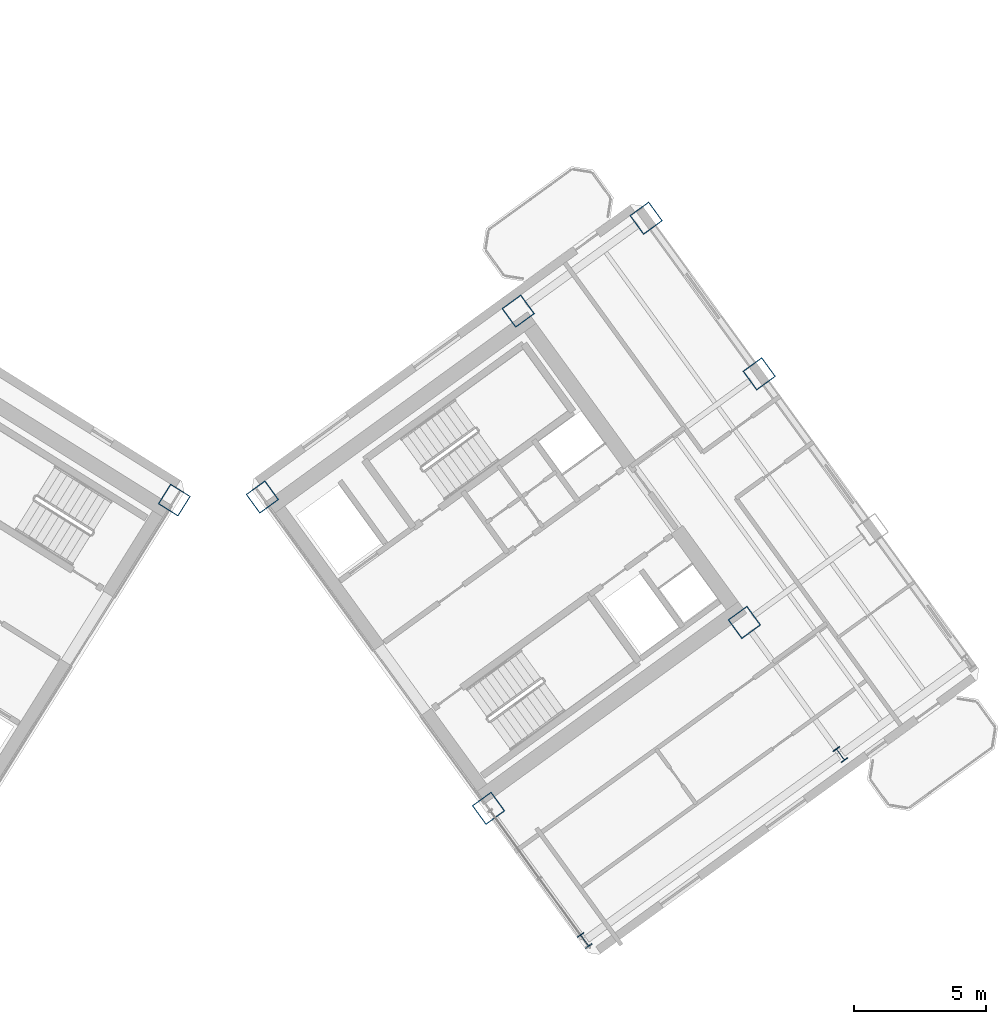
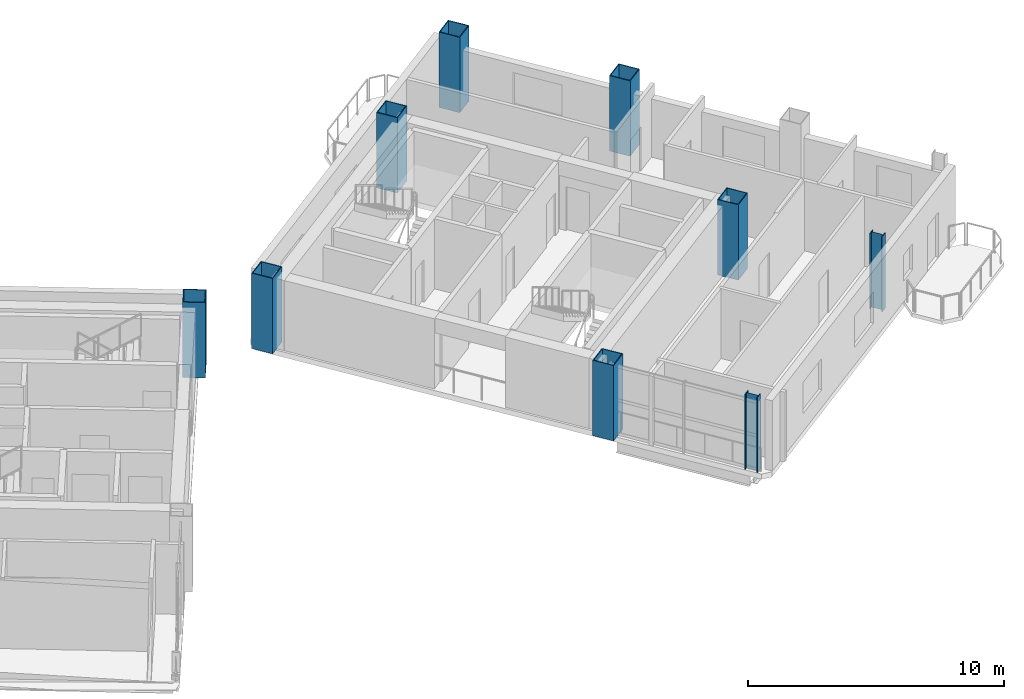
# One storey, part 2 of 18: 9 columns.
"""IFC4 building model written with IfcOpenShell, lengths in metres."""

import ifcopenshell
import ifcopenshell.guid

model = None  # the IFC model being written
_history = None  # IfcOwnerHistory: only IFC2X3 demands one
_inside = {}  # id of a spatial element -> (the spatial element, [elements in it])
_under = {}  # id of a project, library or spatial element -> (it, [spatial elements below it])
_declared = {}  # id of a project -> (the project, [libraries it declares])
_typed = {}  # id of a type object -> (the type object, [elements of that type])
_made_of = {}  # id of a material, layer set ... -> (it, [elements and type objects made of it])


def new_model(schema):
    """Start an empty IFC model of exactly this schema.

    Asked for "IFC4X3", IfcOpenShell would pick the latest addendum, in which some entities
    have other attributes; the version numbers below select the first issue.
    IFC2X3 requires an IfcOwnerHistory on every rooted entity: one is made here for all.
    """
    global model, _history
    if schema == "IFC4X3":
        model = ifcopenshell.file(schema_version=(4, 3, 0, 0))
    else:
        model = ifcopenshell.file(schema=schema)
    _inside.clear()
    _under.clear()
    _declared.clear()
    _typed.clear()
    _made_of.clear()
    _history = None
    if model.schema == "IFC2X3":
        org = make("IfcOrganization", Name="unknown")
        user = make(
            "IfcPersonAndOrganization",
            ThePerson=make("IfcPerson", FamilyName="unknown"),
            TheOrganization=org,
        )
        app = make(
            "IfcApplication",
            ApplicationDeveloper=org,
            Version="unknown",
            ApplicationFullName="unknown",
            ApplicationIdentifier="unknown",
        )
        _history = make(
            "IfcOwnerHistory",
            OwningUser=user,
            OwningApplication=app,
            ChangeAction="ADDED",
            CreationDate=0,
        )
    return model


def make(cls, **values):
    """One entity of the class cls with the attributes given. An attribute that is None is left unset."""
    return model.create_entity(
        cls, **{name: value for name, value in values.items() if value is not None}
    )


def rooted(cls, **values):
    """An entity with a GlobalId (a new one), such as an element, a storey or a relation."""
    return make(cls, GlobalId=ifcopenshell.guid.new(), OwnerHistory=_history, **values)


def si_unit(unit_type, name, prefix=None):
    """IfcSIUnit, for example si_unit("LENGTHUNIT", "METRE", prefix="MILLI")."""
    return make("IfcSIUnit", UnitType=unit_type, Prefix=prefix, Name=name)


def assignment(units):
    """IfcUnitAssignment: the units of a project."""
    return None if units is None else make("IfcUnitAssignment", Units=units)


def point(xyz):
    """IfcCartesianPoint."""
    return None if xyz is None else make("IfcCartesianPoint", Coordinates=xyz)


def direction(xyz):
    """IfcDirection."""
    return None if xyz is None else make("IfcDirection", DirectionRatios=xyz)


def frame(location, z_axis=None, x_axis=None):
    """IfcAxis2Placement3D, a coordinate frame: its origin and axes. An axis left out is left unset."""
    return make(
        "IfcAxis2Placement3D",
        Location=point(location),
        Axis=direction(z_axis),
        RefDirection=direction(x_axis),
    )


def frame_2d(location, x_axis=None):
    """IfcAxis2Placement2D, a coordinate frame in the plane: its origin and x axis."""
    return make(
        "IfcAxis2Placement2D", Location=point(location), RefDirection=direction(x_axis)
    )


def origin():
    """The frame at (0, 0, 0) with its axes left unset."""
    return frame((0.0, 0.0, 0.0))


def origin_2d():
    """The frame at (0, 0) in the plane with its x axis left unset."""
    return frame_2d((0.0, 0.0))


def place(relative_to, where):
    """IfcLocalPlacement: puts the frame where relative to a parent placement (None: the world)."""
    return make(
        "IfcLocalPlacement", PlacementRelTo=relative_to, RelativePlacement=where
    )


def context(
    kind, dimensions, precision=None, world=None, true_north=None, identifier=None
):
    """IfcGeometricRepresentationContext, for example the 3D "Model" context."""
    return make(
        "IfcGeometricRepresentationContext",
        ContextIdentifier=identifier,
        ContextType=kind,
        CoordinateSpaceDimension=dimensions,
        Precision=precision,
        WorldCoordinateSystem=world,
        TrueNorth=true_north,
    )


def subcontext(parent, identifier, kind, view, scale=None):
    """IfcGeometricRepresentationSubContext, for example "Body" below "Model"."""
    return make(
        "IfcGeometricRepresentationSubContext",
        ContextIdentifier=identifier,
        ContextType=kind,
        ParentContext=parent,
        TargetScale=scale,
        TargetView=view,
    )


def project(units=None, contexts=None):
    """IfcProject with its units and contexts."""
    return rooted(
        "IfcProject",
        Name="project",
        RepresentationContexts=contexts,
        UnitsInContext=assignment(units),
    )


def spatial(cls, under=None, at=None, **own):
    """A site, building, storey or space (cls), placed at a placement, below another one or the project."""
    s = rooted(cls, ObjectPlacement=at, **own)
    if under is not None:
        _under.setdefault(under.id(), (under, []))[1].append(s)
    return s


def profile(cls, at=None, kind="AREA", **sizes):
    """A parametric profile (cls). Its sizes go by their IFC names, for example OverallWidth=200.0."""
    return make(cls, ProfileType=kind, Position=at, **sizes)


def hollow_rectangle(**sizes):
    """IfcRectangleHollowProfileDef."""
    return profile("IfcRectangleHollowProfileDef", **sizes)


def i_section(**sizes):
    """IfcIShapeProfileDef."""
    return profile("IfcIShapeProfileDef", **sizes)


def extrude(swept, where, along, depth):
    """IfcExtrudedAreaSolid: the profile swept, set in the frame where, extruded along a direction by depth."""
    return make(
        "IfcExtrudedAreaSolid",
        SweptArea=swept,
        Position=where,
        ExtrudedDirection=direction(along),
        Depth=depth,
    )


def shape(context_of_items, identifier, shape_type, items):
    """IfcShapeRepresentation: the items that make up one representation, for example the "Body"."""
    return make(
        "IfcShapeRepresentation",
        ContextOfItems=context_of_items,
        RepresentationIdentifier=identifier,
        RepresentationType=shape_type,
        Items=items,
    )


def source(mapping_origin, context_of_items, identifier, shape_type, items):
    """IfcRepresentationMap: a shape defined once, which mapped items show again and again."""
    return make(
        "IfcRepresentationMap",
        MappingOrigin=mapping_origin,
        MappedRepresentation=shape(context_of_items, identifier, shape_type, items),
    )


def transform(
    local_origin,
    x_axis=None,
    y_axis=None,
    z_axis=None,
    scale=None,
    scale2=None,
    scale3=None,
    uniform=True,
):
    """IfcCartesianTransformationOperator3D, or its non-uniform kind. x_axis, y_axis, z_axis: its Axis1, 2, 3."""
    if uniform:
        return make(
            "IfcCartesianTransformationOperator3D",
            Axis1=direction(x_axis),
            Axis2=direction(y_axis),
            LocalOrigin=point(local_origin),
            Scale=scale,
            Axis3=direction(z_axis),
        )
    return make(
        "IfcCartesianTransformationOperator3DnonUniform",
        Axis1=direction(x_axis),
        Axis2=direction(y_axis),
        LocalOrigin=point(local_origin),
        Scale=scale,
        Axis3=direction(z_axis),
        Scale2=scale2,
        Scale3=scale3,
    )


def mapped(mapping_source, mapping_target):
    """IfcMappedItem: shows the shape of a source again, moved by a transform."""
    return make(
        "IfcMappedItem", MappingSource=mapping_source, MappingTarget=mapping_target
    )


def material(Name=None, Category=None):
    """IfcMaterial."""
    return make("IfcMaterial", Name=Name, Category=Category)


def material_profile(
    of_material, cross_section, Name=None, Category=None, Priority=None
):
    """IfcMaterialProfile: a cross section and its material."""
    return make(
        "IfcMaterialProfile",
        Name=Name,
        Material=of_material,
        Profile=cross_section,
        Priority=Priority,
        Category=Category,
    )


def profile_set(profiles, Name=None, composite=None):
    """IfcMaterialProfileSet."""
    return make(
        "IfcMaterialProfileSet",
        Name=Name,
        MaterialProfiles=profiles,
        CompositeProfile=composite,
    )


def made_of(thing, what):
    """Note that an element or type object is made of a material, layer set ...; save() writes the relation."""
    if what is not None:
        _made_of.setdefault(what.id(), (what, []))[1].append(thing)
    return thing


def type_object(cls, material=None, **own):
    """A type object (cls), such as IfcWallType, which elements share."""
    return made_of(rooted(cls, **own), material)


def element(
    cls,
    number,
    at=None,
    inside=None,
    cuts=None,
    type_object=None,
    material=None,
    context=None,
    identifier="Body",
    shape_type=None,
    held_by="IfcProductDefinitionShape",
    body=None,
    shapes=None,
    **own,
):
    """One element of the class cls, such as IfcWall. Its Tag is "e" and its number.

    at: its placement. inside: the storey or other place that contains it. cuts: it is an
    opening in that element (IfcRelVoidsElement). A single representation is given by context,
    identifier, shape_type and body (its items); several are given by shapes. held_by: the class
    of the entity that holds the representations. save() writes the other relations.
    """
    e = rooted(cls, Tag="e%d" % number, ObjectPlacement=at, **own)
    if body is not None:
        shapes = [shape(context, identifier, shape_type, body)]
    if shapes is not None:
        e.Representation = make(held_by, Representations=shapes)
    if inside is not None:
        _inside.setdefault(inside.id(), (inside, []))[1].append(e)
    if cuts is not None:
        rooted(
            "IfcRelVoidsElement", RelatingBuildingElement=cuts, RelatedOpeningElement=e
        )
    if type_object is not None:
        _typed.setdefault(type_object.id(), (type_object, []))[1].append(e)
    return made_of(e, material)


def aggregate(whole, parts):
    """IfcRelAggregates: a whole, such as a stair, and the parts it consists of."""
    return rooted("IfcRelAggregates", RelatingObject=whole, RelatedObjects=parts)


def save(model, path):
    """Write the relations noted so far, then the file.

    IfcRelAggregates (storeys below a building ...), IfcRelContainedInSpatialStructure (elements
    in a storey), IfcRelDefinesByType, IfcRelAssociatesMaterial and IfcRelDeclares: one each for
    every whole, place, type object, material and project.
    """
    for whole, parts in _under.values():
        aggregate(whole, parts)
    for where, things in _inside.values():
        rooted(
            "IfcRelContainedInSpatialStructure",
            RelatedElements=things,
            RelatingStructure=where,
        )
    for kind, things in _typed.values():
        rooted("IfcRelDefinesByType", RelatedObjects=things, RelatingType=kind)
    for what, things in _made_of.values():
        rooted("IfcRelAssociatesMaterial", RelatedObjects=things, RelatingMaterial=what)
    for by, libraries in _declared.values():
        rooted("IfcRelDeclares", RelatingContext=by, RelatedDefinitions=libraries)
    model.write(path)


model = new_model("IFC4")

# Units and contexts
model_context = context("Model", 3, precision=1e-05, world=origin(), true_north=direction((0.0, 1.0)))
body_context = subcontext(model_context, "Body", "Model", "MODEL_VIEW")
ifc_project = project(units=[si_unit("LENGTHUNIT", "METRE"), si_unit("AREAUNIT", "SQUARE_METRE"), si_unit("VOLUMEUNIT", "CUBIC_METRE"), si_unit("PLANEANGLEUNIT", "RADIAN"), si_unit("MASSUNIT", "GRAM", prefix="KILO")], contexts=[model_context])

# Site, building, storey
site_placement = place(None, origin())
site = spatial("IfcSite", under=ifc_project, at=site_placement, CompositionType="ELEMENT")
building_placement = place(site_placement, origin())
building = spatial("IfcBuilding", under=site, at=building_placement, Name="Tlacorven Tower", CompositionType="ELEMENT")
storey_placement = place(building_placement, frame((0.0, 0.0, 140.699951171875)))
storey = spatial("IfcBuildingStorey", under=building, at=storey_placement, Name="L35", CompositionType="ELEMENT", Elevation=140.699951171875)

# Columns
ifc_material = material(Name="Steel S460M", Category="steel")
ifc_material_profile_1 = material_profile(ifc_material, hollow_rectangle(XDim=0.89990234375, YDim=0.89990234375, WallThickness=0.035888671875, at=origin_2d()), Name="BOX 900X900X36")
ifc_profile_set_1 = profile_set([ifc_material_profile_1], Name="Steel S460M")
column_type_1 = type_object("IfcColumnType", Name="COL-TWR-S2", PredefinedType="COLUMN", material=ifc_profile_set_1)
shared_shape_1 = source(origin(), body_context, "Body", "SweptSolid", [
    extrude(hollow_rectangle(XDim=0.89990234375, YDim=0.89990234375, WallThickness=0.035888671875, at=origin_2d()), origin(), (0.0, 0.0, 1.0), 3.60009765625),
])
for number, where, z_axis, x_axis, name in (
    (1, (40.782958984375, 24.468505859375, 0.0), (0.0, 0.0, 1.0), (-0.848048096156, 0.529919264233, 0.0), "L35 column COL-L35-W1-1"),
    (2, (52.705322265625, 12.7734375, 0.0), (0.0, 0.0, 1.0), (0.809016994375, 0.587785252292, 0.0), "L35 column COL-L35-E1-2"),
    (3, (44.123779296875, 24.5849609375, 0.0), (0.0, 0.0, 1.0), (0.809016994375, 0.587785252292, 0.0), "L35 column COL-L35-E1-4"),
    (4, (62.41357421875, 19.826904296875, 0.0), (0.0, 0.0, 1.0), (0.809016994375, 0.587785252292, 0.0), "L35 column COL-L35-E3-2"),
    (5, (53.83203125, 31.638427734375, 0.0), (0.0, 0.0, 1.0), (0.809016994375, 0.587785252292, 0.0), "L35 column COL-L35-E3-4"),
    (6, (62.976806640625, 29.25927734375, 0.0), (0.0, 0.0, 1.0), (0.809016994375, 0.587785252292, 0.0), "L35 column COL-L35-E4-3"),
    (7, (58.68603515625, 35.165283203125, 0.0), (0.0, 0.0, 1.0), (0.809016994375, 0.587785252292, 0.0), "L35 column COL-L35-E4-4"),
):
    element("IfcColumn", number, at=place(storey_placement, frame(where, z_axis=z_axis, x_axis=x_axis)), inside=storey, type_object=column_type_1, Name=name, PredefinedType="COLUMN", context=body_context, shape_type="MappedRepresentation", body=[
        mapped(shared_shape_1, transform((0.0, 0.0, 0.0), scale=1.0)),
    ])
ifc_material_profile_2 = material_profile(ifc_material, i_section(OverallWidth=0.300048828125, OverallDepth=0.550048828125, WebThickness=0.014892578125, FlangeThickness=0.029052734375, at=origin_2d()), Name="HEB 550")
ifc_profile_set_2 = profile_set([ifc_material_profile_2], Name="Steel S460M")
column_type_2 = type_object("IfcColumnType", Name="COL-TWR-P2", PredefinedType="COLUMN", material=ifc_profile_set_2)
shared_shape_2 = source(origin(), body_context, "Body", "SweptSolid", [
    extrude(i_section(OverallWidth=0.300048828125, OverallDepth=0.550048828125, WebThickness=0.014892578125, FlangeThickness=0.029052734375, at=origin_2d()), origin(), (0.0, 0.0, 1.0), 3.60009765625),
])
for number, where, z_axis, x_axis, name in (
    (8, (56.349609375, 7.757568359375, 0.0), (0.0, 0.0, 1.0), (0.809016994375, 0.587785252292, 0.0), "L35 column COL-L35-E1-1"),
    (9, (66.057861328125, 14.81103515625, 0.0), (0.0, 0.0, 1.0), (0.809016994375, 0.587785252292, 0.0), "L35 column COL-L35-E3-1"),
):
    element("IfcColumn", number, at=place(storey_placement, frame(where, z_axis=z_axis, x_axis=x_axis)), inside=storey, type_object=column_type_2, Name=name, PredefinedType="COLUMN", context=body_context, shape_type="MappedRepresentation", body=[
        mapped(shared_shape_2, transform((0.0, 0.0, 0.0), scale=1.0)),
    ])

save(model, "model.ifc")
